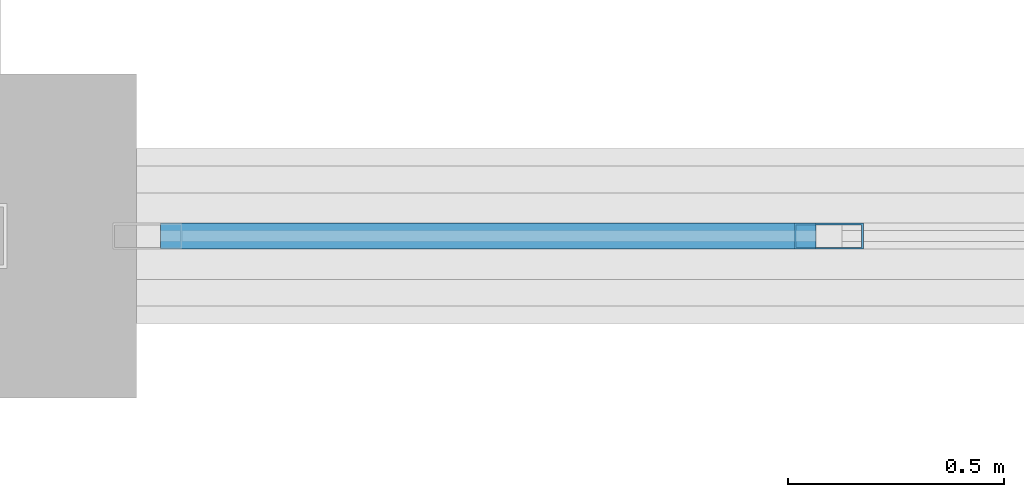
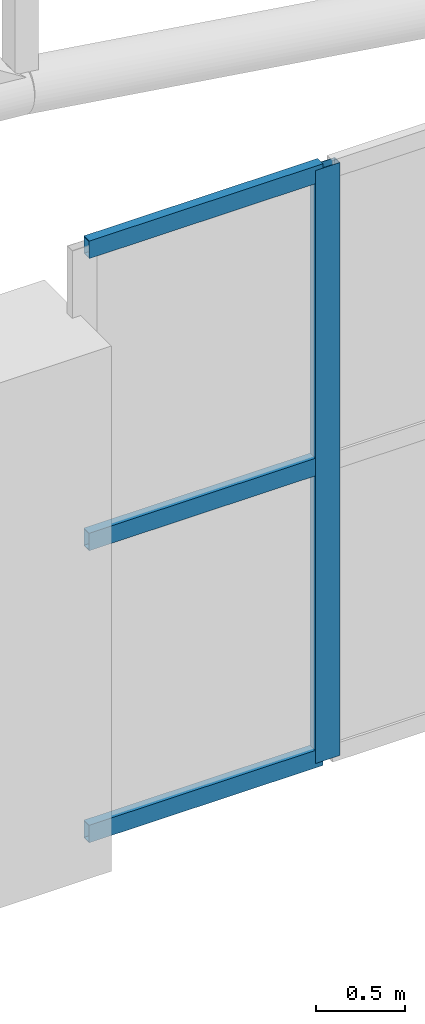
# One storey, part 15 of 167: 4 members, 1 element without a shape of its own.
"""IFC4 building model written with IfcOpenShell, lengths in metres."""

from ifc_helpers import new_model, si_unit, direction, frame, origin, origin_2d, place, context, subcontext, project, spatial, hollow_rectangle, extrude, material, layer, layer_set, material_profile, profile_set, type_object, element, aggregate, save


model = new_model("IFC4")

# Units and contexts
model_context = context("Model", 3, precision=1e-05, world=origin(), true_north=direction((0.0, 1.0)))
body_context = subcontext(model_context, "Body", "Model", "MODEL_VIEW")
ifc_project = project(units=[si_unit("LENGTHUNIT", "METRE"), si_unit("AREAUNIT", "SQUARE_METRE"), si_unit("VOLUMEUNIT", "CUBIC_METRE"), si_unit("PLANEANGLEUNIT", "RADIAN"), si_unit("MASSUNIT", "GRAM", prefix="KILO")], contexts=[model_context])

# Site, building, storey
site_placement = place(None, origin())
site = spatial("IfcSite", under=ifc_project, at=site_placement, CompositionType="ELEMENT")
building_placement = place(site_placement, origin())
building = spatial("IfcBuilding", under=site, at=building_placement, Name="Dornveld Trade and Exhibition Forum", CompositionType="ELEMENT")
storey_placement = place(building_placement, frame((0.0, 0.0, 16.800048828125)))
storey = spatial("IfcBuildingStorey", under=building, at=storey_placement, Name="L03", CompositionType="ELEMENT", Elevation=16.800048828125)

# Curtain wall, members
ifc_material_1 = material(Name="Dark-bronze anodised aluminium and low-E glass", Category="aluminium")
ifc_layer = layer(ifc_material_1, 0.156982421875)
ifc_layer_set = layer_set([ifc_layer], Name="Dark-bronze anodised aluminium and low-E glass")
curtain_wall_type = type_object("IfcCurtainWallType", Name="CW-SYS-05", PredefinedType="USERDEFINED", material=ifc_layer_set)
curtain_wall_placement = place(storey_placement, origin())
curtain_wall = element("IfcCurtainWall", 1, at=curtain_wall_placement, inside=storey, type_object=curtain_wall_type, Name="L03 unitised curtain wall 41", ObjectType="UNITISED_CURTAIN_WALL", PredefinedType="USERDEFINED")
ifc_material_2 = material(Name="Dark-bronze anodised aluminium", Category="aluminium")
ifc_material_profile_1 = material_profile(ifc_material_2, hollow_rectangle(XDim=0.06005859375, YDim=0.159912109375, WallThickness=0.00390625, at=origin_2d()), Name="RHS 160x60x4")
ifc_profile_set_1 = profile_set([ifc_material_profile_1], Name="Dark-bronze anodised aluminium")
member_type_1 = type_object("IfcMemberType", Name="CW-MUL-160", PredefinedType="MULLION", material=ifc_profile_set_1)
member_1_placement = place(storey_placement, frame((73.9775390625, 36.0, -0.004150390625), z_axis=(0.0, 0.0, 1.0), x_axis=(0.0, 1.0, 0.0)))
member_1 = element("IfcMember", 2, at=member_1_placement, type_object=member_type_1, Name="CW-05 mullion 2", PredefinedType="MULLION", context=body_context, shape_type="SweptSolid", body=[
    extrude(hollow_rectangle(XDim=0.06005859375, YDim=0.159912109375, WallThickness=0.00390625, at=origin_2d()), origin(), (0.0, 0.0, 1.0), 4.064208984375),
])
ifc_material_3 = material(Name="Dark-bronze anodised aluminium", Category="aluminium")
ifc_material_profile_2 = material_profile(ifc_material_3, hollow_rectangle(XDim=0.06005859375, YDim=0.1201171875, WallThickness=0.00390625, at=origin_2d()), Name="RHS 120x60x4")
ifc_profile_set_2 = profile_set([ifc_material_profile_2], Name="Dark-bronze anodised aluminium")
member_type_2 = type_object("IfcMemberType", Name="CW-TRN-120", PredefinedType="USERDEFINED", material=ifc_profile_set_2)
member_2_placement = place(storey_placement, frame((72.430908203125, 36.0, 0.02587890625), z_axis=(1.0, 0.0, 0.0), x_axis=(0.0, 1.0, 0.0)))
member_2 = element("IfcMember", 3, at=member_2_placement, type_object=member_type_2, Name="CW-05 transom 1.1", ObjectType="TRANSOM", PredefinedType="USERDEFINED", context=body_context, shape_type="SweptSolid", body=[
    extrude(hollow_rectangle(XDim=0.06005859375, YDim=0.1201171875, WallThickness=0.00390625, at=origin_2d()), origin(), (0.0, 0.0, 1.0), 1.5166015625),
])
member_3_placement = place(storey_placement, frame((72.430908203125, 36.0, 2.02783203125), z_axis=(1.0, 0.0, 0.0), x_axis=(0.0, 1.0, 0.0)))
member_3 = element("IfcMember", 4, at=member_3_placement, type_object=member_type_2, Name="CW-05 transom 1.2", ObjectType="TRANSOM", PredefinedType="USERDEFINED", context=body_context, shape_type="SweptSolid", body=[
    extrude(hollow_rectangle(XDim=0.06005859375, YDim=0.1201171875, WallThickness=0.00390625, at=origin_2d()), origin(), (0.0, 0.0, 1.0), 1.5166015625),
])
member_4_placement = place(storey_placement, frame((72.430908203125, 36.0, 4.030029296875), z_axis=(1.0, 0.0, 0.0), x_axis=(0.0, 1.0, 0.0)))
member_4 = element("IfcMember", 5, at=member_4_placement, type_object=member_type_2, Name="CW-05 transom 1.3", ObjectType="TRANSOM", PredefinedType="USERDEFINED", context=body_context, shape_type="SweptSolid", body=[
    extrude(hollow_rectangle(XDim=0.06005859375, YDim=0.1201171875, WallThickness=0.00390625, at=origin_2d()), origin(), (0.0, 0.0, 1.0), 1.5166015625),
])
aggregate(curtain_wall, [member_1, member_2, member_3, member_4])

save(model, "model.ifc")
